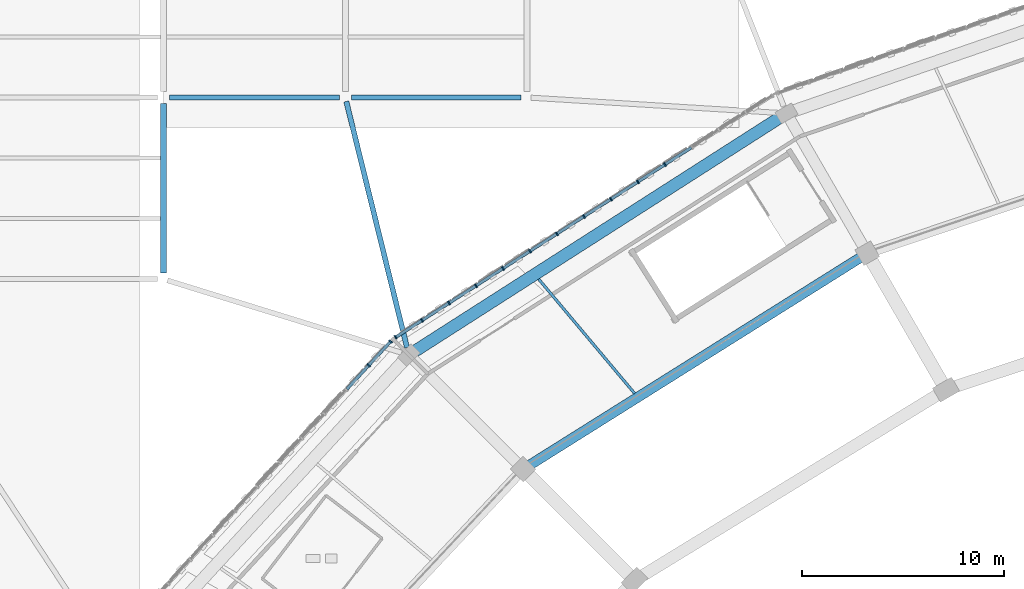
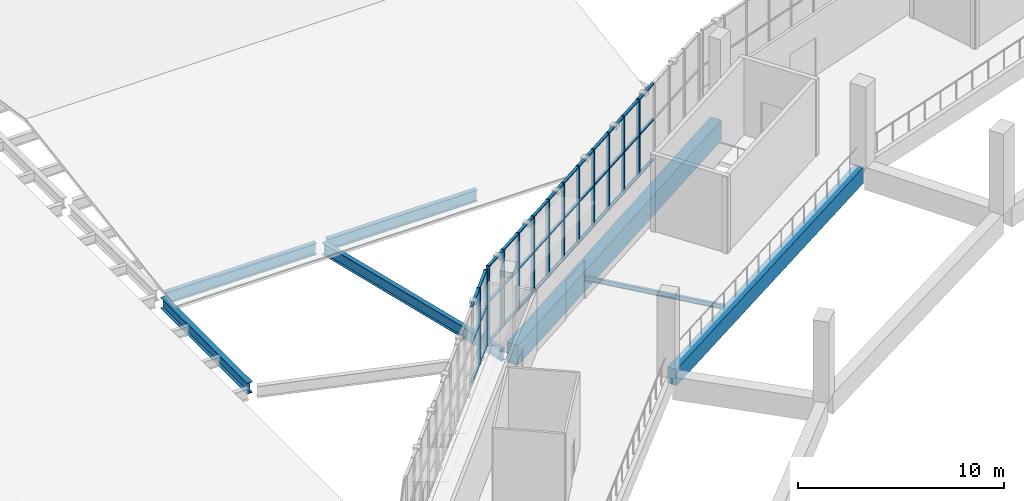
# One storey, part 34 of 108: 52 members, 7 beams, 2 elements without a shape of their own.
"""IFC4 building model written with IfcOpenShell, lengths in metres."""

import ifcopenshell
import ifcopenshell.guid

model = None  # the IFC model being written
_history = None  # IfcOwnerHistory: only IFC2X3 demands one
_inside = {}  # id of a spatial element -> (the spatial element, [elements in it])
_under = {}  # id of a project, library or spatial element -> (it, [spatial elements below it])
_declared = {}  # id of a project -> (the project, [libraries it declares])
_typed = {}  # id of a type object -> (the type object, [elements of that type])
_made_of = {}  # id of a material, layer set ... -> (it, [elements and type objects made of it])


def new_model(schema):
    """Start an empty IFC model of exactly this schema.

    Asked for "IFC4X3", IfcOpenShell would pick the latest addendum, in which some entities
    have other attributes; the version numbers below select the first issue.
    IFC2X3 requires an IfcOwnerHistory on every rooted entity: one is made here for all.
    """
    global model, _history
    if schema == "IFC4X3":
        model = ifcopenshell.file(schema_version=(4, 3, 0, 0))
    else:
        model = ifcopenshell.file(schema=schema)
    _inside.clear()
    _under.clear()
    _declared.clear()
    _typed.clear()
    _made_of.clear()
    _history = None
    if model.schema == "IFC2X3":
        org = make("IfcOrganization", Name="unknown")
        user = make(
            "IfcPersonAndOrganization",
            ThePerson=make("IfcPerson", FamilyName="unknown"),
            TheOrganization=org,
        )
        app = make(
            "IfcApplication",
            ApplicationDeveloper=org,
            Version="unknown",
            ApplicationFullName="unknown",
            ApplicationIdentifier="unknown",
        )
        _history = make(
            "IfcOwnerHistory",
            OwningUser=user,
            OwningApplication=app,
            ChangeAction="ADDED",
            CreationDate=0,
        )
    return model


def make(cls, **values):
    """One entity of the class cls with the attributes given. An attribute that is None is left unset."""
    return model.create_entity(
        cls, **{name: value for name, value in values.items() if value is not None}
    )


def rooted(cls, **values):
    """An entity with a GlobalId (a new one), such as an element, a storey or a relation."""
    return make(cls, GlobalId=ifcopenshell.guid.new(), OwnerHistory=_history, **values)


def si_unit(unit_type, name, prefix=None):
    """IfcSIUnit, for example si_unit("LENGTHUNIT", "METRE", prefix="MILLI")."""
    return make("IfcSIUnit", UnitType=unit_type, Prefix=prefix, Name=name)


def assignment(units):
    """IfcUnitAssignment: the units of a project."""
    return None if units is None else make("IfcUnitAssignment", Units=units)


def point(xyz):
    """IfcCartesianPoint."""
    return None if xyz is None else make("IfcCartesianPoint", Coordinates=xyz)


def direction(xyz):
    """IfcDirection."""
    return None if xyz is None else make("IfcDirection", DirectionRatios=xyz)


def frame(location, z_axis=None, x_axis=None):
    """IfcAxis2Placement3D, a coordinate frame: its origin and axes. An axis left out is left unset."""
    return make(
        "IfcAxis2Placement3D",
        Location=point(location),
        Axis=direction(z_axis),
        RefDirection=direction(x_axis),
    )


def frame_2d(location, x_axis=None):
    """IfcAxis2Placement2D, a coordinate frame in the plane: its origin and x axis."""
    return make(
        "IfcAxis2Placement2D", Location=point(location), RefDirection=direction(x_axis)
    )


def origin():
    """The frame at (0, 0, 0) with its axes left unset."""
    return frame((0.0, 0.0, 0.0))


def origin_2d():
    """The frame at (0, 0) in the plane with its x axis left unset."""
    return frame_2d((0.0, 0.0))


def place(relative_to, where):
    """IfcLocalPlacement: puts the frame where relative to a parent placement (None: the world)."""
    return make(
        "IfcLocalPlacement", PlacementRelTo=relative_to, RelativePlacement=where
    )


def context(
    kind, dimensions, precision=None, world=None, true_north=None, identifier=None
):
    """IfcGeometricRepresentationContext, for example the 3D "Model" context."""
    return make(
        "IfcGeometricRepresentationContext",
        ContextIdentifier=identifier,
        ContextType=kind,
        CoordinateSpaceDimension=dimensions,
        Precision=precision,
        WorldCoordinateSystem=world,
        TrueNorth=true_north,
    )


def subcontext(parent, identifier, kind, view, scale=None):
    """IfcGeometricRepresentationSubContext, for example "Body" below "Model"."""
    return make(
        "IfcGeometricRepresentationSubContext",
        ContextIdentifier=identifier,
        ContextType=kind,
        ParentContext=parent,
        TargetScale=scale,
        TargetView=view,
    )


def project(units=None, contexts=None):
    """IfcProject with its units and contexts."""
    return rooted(
        "IfcProject",
        Name="project",
        RepresentationContexts=contexts,
        UnitsInContext=assignment(units),
    )


def spatial(cls, under=None, at=None, **own):
    """A site, building, storey or space (cls), placed at a placement, below another one or the project."""
    s = rooted(cls, ObjectPlacement=at, **own)
    if under is not None:
        _under.setdefault(under.id(), (under, []))[1].append(s)
    return s


def profile(cls, at=None, kind="AREA", **sizes):
    """A parametric profile (cls). Its sizes go by their IFC names, for example OverallWidth=200.0."""
    return make(cls, ProfileType=kind, Position=at, **sizes)


def rectangle(**sizes):
    """IfcRectangleProfileDef."""
    return profile("IfcRectangleProfileDef", **sizes)


def i_section(**sizes):
    """IfcIShapeProfileDef."""
    return profile("IfcIShapeProfileDef", **sizes)


def extrude(swept, where, along, depth):
    """IfcExtrudedAreaSolid: the profile swept, set in the frame where, extruded along a direction by depth."""
    return make(
        "IfcExtrudedAreaSolid",
        SweptArea=swept,
        Position=where,
        ExtrudedDirection=direction(along),
        Depth=depth,
    )


def shape(context_of_items, identifier, shape_type, items):
    """IfcShapeRepresentation: the items that make up one representation, for example the "Body"."""
    return make(
        "IfcShapeRepresentation",
        ContextOfItems=context_of_items,
        RepresentationIdentifier=identifier,
        RepresentationType=shape_type,
        Items=items,
    )


def material(Name=None, Category=None):
    """IfcMaterial."""
    return make("IfcMaterial", Name=Name, Category=Category)


def material_profile(
    of_material, cross_section, Name=None, Category=None, Priority=None
):
    """IfcMaterialProfile: a cross section and its material."""
    return make(
        "IfcMaterialProfile",
        Name=Name,
        Material=of_material,
        Profile=cross_section,
        Priority=Priority,
        Category=Category,
    )


def profile_set(profiles, Name=None, composite=None):
    """IfcMaterialProfileSet."""
    return make(
        "IfcMaterialProfileSet",
        Name=Name,
        MaterialProfiles=profiles,
        CompositeProfile=composite,
    )


def made_of(thing, what):
    """Note that an element or type object is made of a material, layer set ...; save() writes the relation."""
    if what is not None:
        _made_of.setdefault(what.id(), (what, []))[1].append(thing)
    return thing


def type_object(cls, material=None, **own):
    """A type object (cls), such as IfcWallType, which elements share."""
    return made_of(rooted(cls, **own), material)


def element(
    cls,
    number,
    at=None,
    inside=None,
    cuts=None,
    type_object=None,
    material=None,
    context=None,
    identifier="Body",
    shape_type=None,
    held_by="IfcProductDefinitionShape",
    body=None,
    shapes=None,
    **own,
):
    """One element of the class cls, such as IfcWall. Its Tag is "e" and its number.

    at: its placement. inside: the storey or other place that contains it. cuts: it is an
    opening in that element (IfcRelVoidsElement). A single representation is given by context,
    identifier, shape_type and body (its items); several are given by shapes. held_by: the class
    of the entity that holds the representations. save() writes the other relations.
    """
    e = rooted(cls, Tag="e%d" % number, ObjectPlacement=at, **own)
    if body is not None:
        shapes = [shape(context, identifier, shape_type, body)]
    if shapes is not None:
        e.Representation = make(held_by, Representations=shapes)
    if inside is not None:
        _inside.setdefault(inside.id(), (inside, []))[1].append(e)
    if cuts is not None:
        rooted(
            "IfcRelVoidsElement", RelatingBuildingElement=cuts, RelatedOpeningElement=e
        )
    if type_object is not None:
        _typed.setdefault(type_object.id(), (type_object, []))[1].append(e)
    return made_of(e, material)


def aggregate(whole, parts):
    """IfcRelAggregates: a whole, such as a stair, and the parts it consists of."""
    return rooted("IfcRelAggregates", RelatingObject=whole, RelatedObjects=parts)


def save(model, path):
    """Write the relations noted so far, then the file.

    IfcRelAggregates (storeys below a building ...), IfcRelContainedInSpatialStructure (elements
    in a storey), IfcRelDefinesByType, IfcRelAssociatesMaterial and IfcRelDeclares: one each for
    every whole, place, type object, material and project.
    """
    for whole, parts in _under.values():
        aggregate(whole, parts)
    for where, things in _inside.values():
        rooted(
            "IfcRelContainedInSpatialStructure",
            RelatedElements=things,
            RelatingStructure=where,
        )
    for kind, things in _typed.values():
        rooted("IfcRelDefinesByType", RelatedObjects=things, RelatingType=kind)
    for what, things in _made_of.values():
        rooted("IfcRelAssociatesMaterial", RelatedObjects=things, RelatingMaterial=what)
    for by, libraries in _declared.values():
        rooted("IfcRelDeclares", RelatingContext=by, RelatedDefinitions=libraries)
    model.write(path)


model = new_model("IFC4")

# Units and contexts
model_context = context("Model", 3, precision=1e-05, world=origin(), true_north=direction((0.0, 1.0)))
body_context = subcontext(model_context, "Body", "Model", "MODEL_VIEW")
ifc_project = project(units=[si_unit("LENGTHUNIT", "METRE"), si_unit("AREAUNIT", "SQUARE_METRE"), si_unit("VOLUMEUNIT", "CUBIC_METRE"), si_unit("PLANEANGLEUNIT", "RADIAN"), si_unit("MASSUNIT", "GRAM", prefix="KILO")], contexts=[model_context])

# Site, building, storey
site_placement = place(None, origin())
site = spatial("IfcSite", under=ifc_project, at=site_placement, CompositionType="ELEMENT")
building_placement = place(site_placement, origin())
building = spatial("IfcBuilding", under=site, at=building_placement, Name="Zevraka Park Crest Stadium", CompositionType="ELEMENT")
storey_placement = place(building_placement, frame((0.0, 0.0, 19.800048828125)))
storey = spatial("IfcBuildingStorey", under=building, at=storey_placement, Name="L04", CompositionType="ELEMENT", Elevation=19.800048828125)

# Beams
ifc_material_1 = material(Name="Steel S355", Category="steel")
ifc_material_profile_1 = material_profile(ifc_material_1, i_section(OverallWidth=0.253662109375, OverallDepth=0.68359375, WebThickness=0.012451171875, FlangeThickness=0.01904296875, at=origin_2d()), Name="UKB 686x254x140")
ifc_profile_set_1 = profile_set([ifc_material_profile_1], Name="Steel S355")
beam_type_1 = type_object("IfcBeamType", Name="BG05", PredefinedType="BEAM", material=ifc_profile_set_1)
for number, where, z_axis, x_axis, name in (
    (1, (36.300048828125, 158.0, -0.60986328125), (1.0, 0.0, 0.0), (0.0, 1.0, 0.0), "Wing Girder BG05 L04-56/T"),
    (2, (45.300048828125, 158.0, -0.60986328125), (1.0, 0.0, 0.0), (0.0, 1.0, 0.0), "Wing Girder BG05 L04-67/T"),
):
    element("IfcBeam", number, at=place(storey_placement, frame(where, z_axis=z_axis, x_axis=x_axis)), inside=storey, type_object=beam_type_1, Name=name, PredefinedType="BEAM", context=body_context, shape_type="SweptSolid", body=[
        extrude(i_section(OverallWidth=0.253662109375, OverallDepth=0.68359375, WebThickness=0.012451171875, FlangeThickness=0.01904296875, at=origin_2d()), origin(), (0.0, 0.0, 1.0), 8.39990234375),
    ])
beam_1_placement = place(storey_placement, frame((45.048095703125, 157.805908203125, -0.60986328125), z_axis=(0.23959769566, -0.970872259483, 0.0), x_axis=(0.970872259483, 0.23959769566, 0.0)))
element("IfcBeam", 3, at=beam_1_placement, inside=storey, type_object=beam_type_1, Name="Wing Link Girder BG05 L04-6/T", PredefinedType="BEAM", context=body_context, shape_type="SweptSolid", body=[
    extrude(i_section(OverallWidth=0.253662109375, OverallDepth=0.68359375, WebThickness=0.012451171875, FlangeThickness=0.01904296875, at=origin_2d()), origin(), (0.0, 0.0, 1.0), 12.5576171875),
])
ifc_material_2 = material(Name="Steel S355", Category="steel")
ifc_material_profile_2 = material_profile(ifc_material_2, i_section(OverallWidth=0.300048828125, OverallDepth=0.64990234375, WebThickness=0.01611328125, FlangeThickness=0.031005859375, at=origin_2d()), Name="HEB 650")
ifc_profile_set_2 = profile_set([ifc_material_profile_2], Name="Steel S355")
beam_type_2 = type_object("IfcBeamType", Name="BG07", PredefinedType="BEAM", material=ifc_profile_set_2)
beam_2_placement = place(storey_placement, frame((36.0, 149.300048828125, -0.593017578125), z_axis=(0.0, 1.0, 0.0), x_axis=(-1.0, 0.0, 0.0)))
element("IfcBeam", 4, at=beam_2_placement, inside=storey, type_object=beam_type_2, Name="Wing Girder BG07 L04-5/ST", PredefinedType="BEAM", context=body_context, shape_type="SweptSolid", body=[
    extrude(i_section(OverallWidth=0.300048828125, OverallDepth=0.64990234375, WebThickness=0.01611328125, FlangeThickness=0.031005859375, at=origin_2d()), origin(), (0.0, 0.0, 1.0), 8.39990234375),
])

# Curtain wall, members
ifc_material_3 = material(Name="Anodised architectural aluminium and laminated safety glass", Category="aluminium")
curtain_wall_type = type_object("IfcCurtainWallType", Name="CW18", PredefinedType="NOTDEFINED", material=ifc_material_3)
curtain_wall_1_placement = place(storey_placement, origin())
curtain_wall_1 = element("IfcCurtainWall", 5, at=curtain_wall_1_placement, inside=storey, type_object=curtain_wall_type, Name="Unitised Ring Curtain Wall CW18 L04-08", PredefinedType="NOTDEFINED")
ifc_material_4 = material(Name="Anodised architectural aluminium", Category="aluminium")
ifc_material_profile_3 = material_profile(ifc_material_4, rectangle(XDim=0.199951171875, YDim=0.070068359375, at=origin_2d()), Name="ALU MULLION 200x70")
ifc_profile_set_3 = profile_set([ifc_material_profile_3], Name="Anodised architectural aluminium")
member_type_1 = type_object("IfcMemberType", Name="CM03", PredefinedType="MULLION", material=ifc_profile_set_3)
member_1_placement = place(storey_placement, frame((60.828125, 154.677734375, 0.0), z_axis=(0.0, 0.0, 1.0), x_axis=(0.539979944029, -0.841677883781, 0.0)))
member_1 = element("IfcMember", 6, at=member_1_placement, type_object=member_type_1, Name="CW18 mullion 5", PredefinedType="MULLION", context=body_context, shape_type="SweptSolid", body=[
    extrude(rectangle(XDim=0.199951171875, YDim=0.070068359375, at=origin_2d()), origin(), (0.0, 0.0, 1.0), 4.5400390625),
])
member_2_placement = place(storey_placement, frame((59.491455078125, 153.820068359375, 0.0), z_axis=(0.0, 0.0, 1.0), x_axis=(0.539979944029, -0.841677883781, 0.0)))
member_2 = element("IfcMember", 7, at=member_2_placement, type_object=member_type_1, Name="CW18 mullion 6", PredefinedType="MULLION", context=body_context, shape_type="SweptSolid", body=[
    extrude(rectangle(XDim=0.199951171875, YDim=0.070068359375, at=origin_2d()), origin(), (0.0, 0.0, 1.0), 4.5400390625),
])
member_3_placement = place(storey_placement, frame((58.15478515625, 152.962646484375, 0.0), z_axis=(0.0, 0.0, 1.0), x_axis=(0.539979944029, -0.841677883781, 0.0)))
member_3 = element("IfcMember", 8, at=member_3_placement, type_object=member_type_1, Name="CW18 mullion 7", PredefinedType="MULLION", context=body_context, shape_type="SweptSolid", body=[
    extrude(rectangle(XDim=0.199951171875, YDim=0.070068359375, at=origin_2d()), origin(), (0.0, 0.0, 1.0), 4.5400390625),
])
member_4_placement = place(storey_placement, frame((56.818115234375, 152.10498046875, 0.0), z_axis=(0.0, 0.0, 1.0), x_axis=(0.539979944029, -0.841677883781, 0.0)))
member_4 = element("IfcMember", 9, at=member_4_placement, type_object=member_type_1, Name="CW18 mullion 8", PredefinedType="MULLION", context=body_context, shape_type="SweptSolid", body=[
    extrude(rectangle(XDim=0.199951171875, YDim=0.070068359375, at=origin_2d()), origin(), (0.0, 0.0, 1.0), 4.5400390625),
])
member_5_placement = place(storey_placement, frame((55.481201171875, 151.247314453125, 0.0), z_axis=(0.0, 0.0, 1.0), x_axis=(0.539979944029, -0.841677883781, 0.0)))
member_5 = element("IfcMember", 10, at=member_5_placement, type_object=member_type_1, Name="CW18 mullion 9", PredefinedType="MULLION", context=body_context, shape_type="SweptSolid", body=[
    extrude(rectangle(XDim=0.199951171875, YDim=0.070068359375, at=origin_2d()), origin(), (0.0, 0.0, 1.0), 4.5400390625),
])
member_6_placement = place(storey_placement, frame((54.14453125, 150.389892578125, 0.0), z_axis=(0.0, 0.0, 1.0), x_axis=(0.539979944029, -0.841677883781, 0.0)))
member_6 = element("IfcMember", 11, at=member_6_placement, type_object=member_type_1, Name="CW18 mullion 10", PredefinedType="MULLION", context=body_context, shape_type="SweptSolid", body=[
    extrude(rectangle(XDim=0.199951171875, YDim=0.070068359375, at=origin_2d()), origin(), (0.0, 0.0, 1.0), 4.5400390625),
])
member_7_placement = place(storey_placement, frame((52.807861328125, 149.5322265625, 0.0), z_axis=(0.0, 0.0, 1.0), x_axis=(0.539979944029, -0.841677883781, 0.0)))
member_7 = element("IfcMember", 12, at=member_7_placement, type_object=member_type_1, Name="CW18 mullion 11", PredefinedType="MULLION", context=body_context, shape_type="SweptSolid", body=[
    extrude(rectangle(XDim=0.199951171875, YDim=0.070068359375, at=origin_2d()), origin(), (0.0, 0.0, 1.0), 4.5400390625),
])
member_8_placement = place(storey_placement, frame((51.47119140625, 148.6748046875, 0.0), z_axis=(0.0, 0.0, 1.0), x_axis=(0.539979944029, -0.841677883781, 0.0)))
member_8 = element("IfcMember", 13, at=member_8_placement, type_object=member_type_1, Name="CW18 mullion 12", PredefinedType="MULLION", context=body_context, shape_type="SweptSolid", body=[
    extrude(rectangle(XDim=0.199951171875, YDim=0.070068359375, at=origin_2d()), origin(), (0.0, 0.0, 1.0), 4.5400390625),
])
member_9_placement = place(storey_placement, frame((50.134521484375, 147.817138671875, 0.0), z_axis=(0.0, 0.0, 1.0), x_axis=(0.539979944029, -0.841677883781, 0.0)))
member_9 = element("IfcMember", 14, at=member_9_placement, type_object=member_type_1, Name="CW18 mullion 13", PredefinedType="MULLION", context=body_context, shape_type="SweptSolid", body=[
    extrude(rectangle(XDim=0.199951171875, YDim=0.070068359375, at=origin_2d()), origin(), (0.0, 0.0, 1.0), 4.5400390625),
])
member_10_placement = place(storey_placement, frame((48.797607421875, 146.95947265625, 0.0), z_axis=(0.0, 0.0, 1.0), x_axis=(0.539979944029, -0.841677883781, 0.0)))
member_10 = element("IfcMember", 15, at=member_10_placement, type_object=member_type_1, Name="CW18 mullion 14", PredefinedType="MULLION", context=body_context, shape_type="SweptSolid", body=[
    extrude(rectangle(XDim=0.199951171875, YDim=0.070068359375, at=origin_2d()), origin(), (0.0, 0.0, 1.0), 4.5400390625),
])
member_11_placement = place(storey_placement, frame((47.490478515625, 146.120849609375, 0.0), z_axis=(0.0, 0.0, 1.0), x_axis=(0.539979944029, -0.841677883781, 0.0)))
member_11 = element("IfcMember", 16, at=member_11_placement, type_object=member_type_1, Name="CW18 mullion 15", PredefinedType="MULLION", context=body_context, shape_type="SweptSolid", body=[
    extrude(rectangle(XDim=0.199951171875, YDim=0.070068359375, at=origin_2d()), origin(), (0.0, 0.0, 1.0), 4.5400390625),
])

curtain_wall_2_placement = place(storey_placement, origin())
curtain_wall_2 = element("IfcCurtainWall", 17, at=curtain_wall_2_placement, inside=storey, type_object=curtain_wall_type, Name="Unitised Ring Curtain Wall CW18 L04-09", PredefinedType="NOTDEFINED")
member_12_placement = place(storey_placement, frame((47.240234375, 145.9111328125, 0.0), z_axis=(0.0, 0.0, 1.0), x_axis=(0.736774619932, -0.676138417355, 0.0)))
member_12 = element("IfcMember", 18, at=member_12_placement, type_object=member_type_1, Name="CW18 mullion 1", PredefinedType="MULLION", context=body_context, shape_type="SweptSolid", body=[
    extrude(rectangle(XDim=0.199951171875, YDim=0.070068359375, at=origin_2d()), origin(), (0.0, 0.0, 1.0), 4.5400390625),
])
member_13_placement = place(storey_placement, frame((46.16015625, 144.734130859375, 0.0), z_axis=(0.0, 0.0, 1.0), x_axis=(0.736774619932, -0.676138417355, 0.0)))
member_13 = element("IfcMember", 19, at=member_13_placement, type_object=member_type_1, Name="CW18 mullion 2", PredefinedType="MULLION", context=body_context, shape_type="SweptSolid", body=[
    extrude(rectangle(XDim=0.199951171875, YDim=0.070068359375, at=origin_2d()), origin(), (0.0, 0.0, 1.0), 4.5400390625),
])

# Member
ifc_material_5 = material(Name="Anodised architectural aluminium", Category="aluminium")
ifc_material_profile_4 = material_profile(ifc_material_5, rectangle(XDim=0.14990234375, YDim=0.070068359375, at=origin_2d()), Name="ALU TRANSOM 150x70")
ifc_profile_set_4 = profile_set([ifc_material_profile_4], Name="Anodised architectural aluminium")
member_type_2 = type_object("IfcMemberType", Name="CT03", PredefinedType="USERDEFINED", material=ifc_profile_set_4)
member_14_placement = place(storey_placement, frame((62.135498046875, 155.516357421875, 0.034912109375), z_axis=(-0.841669260565, -0.539993384978, 0.0), x_axis=(0.539993384978, -0.841669260565, 0.0)))
member_14 = element("IfcMember", 20, at=member_14_placement, type_object=member_type_2, Name="CW18 transom 4.1", ObjectType="TRANSOM", PredefinedType="USERDEFINED", context=body_context, shape_type="SweptSolid", body=[
    extrude(rectangle(XDim=0.14990234375, YDim=0.070068359375, at=origin_2d()), origin(), (0.0, 0.0, 1.0), 1.518310546875),
])

member_15_placement = place(storey_placement, frame((62.135498046875, 155.516357421875, 2.39990234375), z_axis=(-0.841669260565, -0.539993384978, 0.0), x_axis=(0.539993384978, -0.841669260565, 0.0)))
member_15 = element("IfcMember", 21, at=member_15_placement, type_object=member_type_2, Name="CW18 transom 4.2", ObjectType="TRANSOM", PredefinedType="USERDEFINED", context=body_context, shape_type="SweptSolid", body=[
    extrude(rectangle(XDim=0.14990234375, YDim=0.070068359375, at=origin_2d()), origin(), (0.0, 0.0, 1.0), 1.518310546875),
])

member_16_placement = place(storey_placement, frame((62.135498046875, 155.516357421875, 4.5048828125), z_axis=(-0.841669260565, -0.539993384978, 0.0), x_axis=(0.539993384978, -0.841669260565, 0.0)))
member_16 = element("IfcMember", 22, at=member_16_placement, type_object=member_type_2, Name="CW18 transom 4.3", ObjectType="TRANSOM", PredefinedType="USERDEFINED", context=body_context, shape_type="SweptSolid", body=[
    extrude(rectangle(XDim=0.14990234375, YDim=0.070068359375, at=origin_2d()), origin(), (0.0, 0.0, 1.0), 1.518310546875),
])

member_17_placement = place(storey_placement, frame((60.798583984375, 154.658935546875, 0.034912109375), z_axis=(-0.841622360569, -0.540066479417, 0.0), x_axis=(0.540066479417, -0.841622360569, 0.0)))
member_17 = element("IfcMember", 23, at=member_17_placement, type_object=member_type_2, Name="CW18 transom 5.1", ObjectType="TRANSOM", PredefinedType="USERDEFINED", context=body_context, shape_type="SweptSolid", body=[
    extrude(rectangle(XDim=0.14990234375, YDim=0.070068359375, at=origin_2d()), origin(), (0.0, 0.0, 1.0), 1.51806640625),
])

member_18_placement = place(storey_placement, frame((60.798583984375, 154.658935546875, 2.39990234375), z_axis=(-0.841622360569, -0.540066479417, 0.0), x_axis=(0.540066479417, -0.841622360569, 0.0)))
member_18 = element("IfcMember", 24, at=member_18_placement, type_object=member_type_2, Name="CW18 transom 5.2", ObjectType="TRANSOM", PredefinedType="USERDEFINED", context=body_context, shape_type="SweptSolid", body=[
    extrude(rectangle(XDim=0.14990234375, YDim=0.070068359375, at=origin_2d()), origin(), (0.0, 0.0, 1.0), 1.51806640625),
])

member_19_placement = place(storey_placement, frame((60.798583984375, 154.658935546875, 4.5048828125), z_axis=(-0.841622360569, -0.540066479417, 0.0), x_axis=(0.540066479417, -0.841622360569, 0.0)))
member_19 = element("IfcMember", 25, at=member_19_placement, type_object=member_type_2, Name="CW18 transom 5.3", ObjectType="TRANSOM", PredefinedType="USERDEFINED", context=body_context, shape_type="SweptSolid", body=[
    extrude(rectangle(XDim=0.14990234375, YDim=0.070068359375, at=origin_2d()), origin(), (0.0, 0.0, 1.0), 1.51806640625),
])

member_20_placement = place(storey_placement, frame((59.4619140625, 153.80126953125, 0.034912109375), z_axis=(-0.841669260565, -0.539993384978, 0.0), x_axis=(0.539993384978, -0.841669260565, 0.0)))
member_20 = element("IfcMember", 26, at=member_20_placement, type_object=member_type_2, Name="CW18 transom 6.1", ObjectType="TRANSOM", PredefinedType="USERDEFINED", context=body_context, shape_type="SweptSolid", body=[
    extrude(rectangle(XDim=0.14990234375, YDim=0.070068359375, at=origin_2d()), origin(), (0.0, 0.0, 1.0), 1.518310546875),
])

member_21_placement = place(storey_placement, frame((59.4619140625, 153.80126953125, 2.39990234375), z_axis=(-0.841669260565, -0.539993384978, 0.0), x_axis=(0.539993384978, -0.841669260565, 0.0)))
member_21 = element("IfcMember", 27, at=member_21_placement, type_object=member_type_2, Name="CW18 transom 6.2", ObjectType="TRANSOM", PredefinedType="USERDEFINED", context=body_context, shape_type="SweptSolid", body=[
    extrude(rectangle(XDim=0.14990234375, YDim=0.070068359375, at=origin_2d()), origin(), (0.0, 0.0, 1.0), 1.518310546875),
])

member_22_placement = place(storey_placement, frame((59.4619140625, 153.80126953125, 4.5048828125), z_axis=(-0.841669260565, -0.539993384978, 0.0), x_axis=(0.539993384978, -0.841669260565, 0.0)))
member_22 = element("IfcMember", 28, at=member_22_placement, type_object=member_type_2, Name="CW18 transom 6.3", ObjectType="TRANSOM", PredefinedType="USERDEFINED", context=body_context, shape_type="SweptSolid", body=[
    extrude(rectangle(XDim=0.14990234375, YDim=0.070068359375, at=origin_2d()), origin(), (0.0, 0.0, 1.0), 1.518310546875),
])

member_23_placement = place(storey_placement, frame((58.125244140625, 152.943603515625, 0.034912109375), z_axis=(-0.841669260565, -0.539993384978, 0.0), x_axis=(0.539993384978, -0.841669260565, 0.0)))
member_23 = element("IfcMember", 29, at=member_23_placement, type_object=member_type_2, Name="CW18 transom 7.1", ObjectType="TRANSOM", PredefinedType="USERDEFINED", context=body_context, shape_type="SweptSolid", body=[
    extrude(rectangle(XDim=0.14990234375, YDim=0.070068359375, at=origin_2d()), origin(), (0.0, 0.0, 1.0), 1.518310546875),
])

member_24_placement = place(storey_placement, frame((58.125244140625, 152.943603515625, 2.39990234375), z_axis=(-0.841669260565, -0.539993384978, 0.0), x_axis=(0.539993384978, -0.841669260565, 0.0)))
member_24 = element("IfcMember", 30, at=member_24_placement, type_object=member_type_2, Name="CW18 transom 7.2", ObjectType="TRANSOM", PredefinedType="USERDEFINED", context=body_context, shape_type="SweptSolid", body=[
    extrude(rectangle(XDim=0.14990234375, YDim=0.070068359375, at=origin_2d()), origin(), (0.0, 0.0, 1.0), 1.518310546875),
])

member_25_placement = place(storey_placement, frame((58.125244140625, 152.943603515625, 4.5048828125), z_axis=(-0.841669260565, -0.539993384978, 0.0), x_axis=(0.539993384978, -0.841669260565, 0.0)))
member_25 = element("IfcMember", 31, at=member_25_placement, type_object=member_type_2, Name="CW18 transom 7.3", ObjectType="TRANSOM", PredefinedType="USERDEFINED", context=body_context, shape_type="SweptSolid", body=[
    extrude(rectangle(XDim=0.14990234375, YDim=0.070068359375, at=origin_2d()), origin(), (0.0, 0.0, 1.0), 1.518310546875),
])

member_26_placement = place(storey_placement, frame((56.78857421875, 152.086181640625, 0.034912109375), z_axis=(-0.841669260565, -0.539993384978, 0.0), x_axis=(0.539993384978, -0.841669260565, 0.0)))
member_26 = element("IfcMember", 32, at=member_26_placement, type_object=member_type_2, Name="CW18 transom 8.1", ObjectType="TRANSOM", PredefinedType="USERDEFINED", context=body_context, shape_type="SweptSolid", body=[
    extrude(rectangle(XDim=0.14990234375, YDim=0.070068359375, at=origin_2d()), origin(), (0.0, 0.0, 1.0), 1.518310546875),
])

member_27_placement = place(storey_placement, frame((56.78857421875, 152.086181640625, 2.39990234375), z_axis=(-0.841669260565, -0.539993384978, 0.0), x_axis=(0.539993384978, -0.841669260565, 0.0)))
member_27 = element("IfcMember", 33, at=member_27_placement, type_object=member_type_2, Name="CW18 transom 8.2", ObjectType="TRANSOM", PredefinedType="USERDEFINED", context=body_context, shape_type="SweptSolid", body=[
    extrude(rectangle(XDim=0.14990234375, YDim=0.070068359375, at=origin_2d()), origin(), (0.0, 0.0, 1.0), 1.518310546875),
])

member_28_placement = place(storey_placement, frame((56.78857421875, 152.086181640625, 4.5048828125), z_axis=(-0.841669260565, -0.539993384978, 0.0), x_axis=(0.539993384978, -0.841669260565, 0.0)))
member_28 = element("IfcMember", 34, at=member_28_placement, type_object=member_type_2, Name="CW18 transom 8.3", ObjectType="TRANSOM", PredefinedType="USERDEFINED", context=body_context, shape_type="SweptSolid", body=[
    extrude(rectangle(XDim=0.14990234375, YDim=0.070068359375, at=origin_2d()), origin(), (0.0, 0.0, 1.0), 1.518310546875),
])

member_29_placement = place(storey_placement, frame((55.451904296875, 151.228515625, 0.034912109375), z_axis=(-0.841669260565, -0.539993384978, 0.0), x_axis=(0.539993384978, -0.841669260565, 0.0)))
member_29 = element("IfcMember", 35, at=member_29_placement, type_object=member_type_2, Name="CW18 transom 9.1", ObjectType="TRANSOM", PredefinedType="USERDEFINED", context=body_context, shape_type="SweptSolid", body=[
    extrude(rectangle(XDim=0.14990234375, YDim=0.070068359375, at=origin_2d()), origin(), (0.0, 0.0, 1.0), 1.518310546875),
])

member_30_placement = place(storey_placement, frame((55.451904296875, 151.228515625, 2.39990234375), z_axis=(-0.841669260565, -0.539993384978, 0.0), x_axis=(0.539993384978, -0.841669260565, 0.0)))
member_30 = element("IfcMember", 36, at=member_30_placement, type_object=member_type_2, Name="CW18 transom 9.2", ObjectType="TRANSOM", PredefinedType="USERDEFINED", context=body_context, shape_type="SweptSolid", body=[
    extrude(rectangle(XDim=0.14990234375, YDim=0.070068359375, at=origin_2d()), origin(), (0.0, 0.0, 1.0), 1.518310546875),
])

member_31_placement = place(storey_placement, frame((55.451904296875, 151.228515625, 4.5048828125), z_axis=(-0.841669260565, -0.539993384978, 0.0), x_axis=(0.539993384978, -0.841669260565, 0.0)))
member_31 = element("IfcMember", 37, at=member_31_placement, type_object=member_type_2, Name="CW18 transom 9.3", ObjectType="TRANSOM", PredefinedType="USERDEFINED", context=body_context, shape_type="SweptSolid", body=[
    extrude(rectangle(XDim=0.14990234375, YDim=0.070068359375, at=origin_2d()), origin(), (0.0, 0.0, 1.0), 1.518310546875),
])

member_32_placement = place(storey_placement, frame((54.115234375, 150.370849609375, 0.034912109375), z_axis=(-0.841742345783, -0.539879452578, 0.0), x_axis=(0.539879452578, -0.841742345783, 0.0)))
member_32 = element("IfcMember", 38, at=member_32_placement, type_object=member_type_2, Name="CW18 transom 10.1", ObjectType="TRANSOM", PredefinedType="USERDEFINED", context=body_context, shape_type="SweptSolid", body=[
    extrude(rectangle(XDim=0.14990234375, YDim=0.070068359375, at=origin_2d()), origin(), (0.0, 0.0, 1.0), 1.51806640625),
])

member_33_placement = place(storey_placement, frame((54.115234375, 150.370849609375, 2.39990234375), z_axis=(-0.841742345783, -0.539879452578, 0.0), x_axis=(0.539879452578, -0.841742345783, 0.0)))
member_33 = element("IfcMember", 39, at=member_33_placement, type_object=member_type_2, Name="CW18 transom 10.2", ObjectType="TRANSOM", PredefinedType="USERDEFINED", context=body_context, shape_type="SweptSolid", body=[
    extrude(rectangle(XDim=0.14990234375, YDim=0.070068359375, at=origin_2d()), origin(), (0.0, 0.0, 1.0), 1.51806640625),
])

member_34_placement = place(storey_placement, frame((54.115234375, 150.370849609375, 4.5048828125), z_axis=(-0.841742345783, -0.539879452578, 0.0), x_axis=(0.539879452578, -0.841742345783, 0.0)))
member_34 = element("IfcMember", 40, at=member_34_placement, type_object=member_type_2, Name="CW18 transom 10.3", ObjectType="TRANSOM", PredefinedType="USERDEFINED", context=body_context, shape_type="SweptSolid", body=[
    extrude(rectangle(XDim=0.14990234375, YDim=0.070068359375, at=origin_2d()), origin(), (0.0, 0.0, 1.0), 1.51806640625),
])

member_35_placement = place(storey_placement, frame((52.7783203125, 149.513427734375, 0.034912109375), z_axis=(-0.841669260565, -0.539993384978, 0.0), x_axis=(0.539993384978, -0.841669260565, 0.0)))
member_35 = element("IfcMember", 41, at=member_35_placement, type_object=member_type_2, Name="CW18 transom 11.1", ObjectType="TRANSOM", PredefinedType="USERDEFINED", context=body_context, shape_type="SweptSolid", body=[
    extrude(rectangle(XDim=0.14990234375, YDim=0.070068359375, at=origin_2d()), origin(), (0.0, 0.0, 1.0), 1.518310546875),
])

member_36_placement = place(storey_placement, frame((52.7783203125, 149.513427734375, 2.39990234375), z_axis=(-0.841669260565, -0.539993384978, 0.0), x_axis=(0.539993384978, -0.841669260565, 0.0)))
member_36 = element("IfcMember", 42, at=member_36_placement, type_object=member_type_2, Name="CW18 transom 11.2", ObjectType="TRANSOM", PredefinedType="USERDEFINED", context=body_context, shape_type="SweptSolid", body=[
    extrude(rectangle(XDim=0.14990234375, YDim=0.070068359375, at=origin_2d()), origin(), (0.0, 0.0, 1.0), 1.518310546875),
])

member_37_placement = place(storey_placement, frame((52.7783203125, 149.513427734375, 4.5048828125), z_axis=(-0.841669260565, -0.539993384978, 0.0), x_axis=(0.539993384978, -0.841669260565, 0.0)))
member_37 = element("IfcMember", 43, at=member_37_placement, type_object=member_type_2, Name="CW18 transom 11.3", ObjectType="TRANSOM", PredefinedType="USERDEFINED", context=body_context, shape_type="SweptSolid", body=[
    extrude(rectangle(XDim=0.14990234375, YDim=0.070068359375, at=origin_2d()), origin(), (0.0, 0.0, 1.0), 1.518310546875),
])

member_38_placement = place(storey_placement, frame((51.441650390625, 148.65576171875, 0.034912109375), z_axis=(-0.841669260565, -0.539993384978, 0.0), x_axis=(0.539993384978, -0.841669260565, 0.0)))
member_38 = element("IfcMember", 44, at=member_38_placement, type_object=member_type_2, Name="CW18 transom 12.1", ObjectType="TRANSOM", PredefinedType="USERDEFINED", context=body_context, shape_type="SweptSolid", body=[
    extrude(rectangle(XDim=0.14990234375, YDim=0.070068359375, at=origin_2d()), origin(), (0.0, 0.0, 1.0), 1.518310546875),
])

member_39_placement = place(storey_placement, frame((51.441650390625, 148.65576171875, 2.39990234375), z_axis=(-0.841669260565, -0.539993384978, 0.0), x_axis=(0.539993384978, -0.841669260565, 0.0)))
member_39 = element("IfcMember", 45, at=member_39_placement, type_object=member_type_2, Name="CW18 transom 12.2", ObjectType="TRANSOM", PredefinedType="USERDEFINED", context=body_context, shape_type="SweptSolid", body=[
    extrude(rectangle(XDim=0.14990234375, YDim=0.070068359375, at=origin_2d()), origin(), (0.0, 0.0, 1.0), 1.518310546875),
])

member_40_placement = place(storey_placement, frame((51.441650390625, 148.65576171875, 4.5048828125), z_axis=(-0.841669260565, -0.539993384978, 0.0), x_axis=(0.539993384978, -0.841669260565, 0.0)))
member_40 = element("IfcMember", 46, at=member_40_placement, type_object=member_type_2, Name="CW18 transom 12.3", ObjectType="TRANSOM", PredefinedType="USERDEFINED", context=body_context, shape_type="SweptSolid", body=[
    extrude(rectangle(XDim=0.14990234375, YDim=0.070068359375, at=origin_2d()), origin(), (0.0, 0.0, 1.0), 1.518310546875),
])

member_41_placement = place(storey_placement, frame((50.10498046875, 147.79833984375, 0.034912109375), z_axis=(-0.841669260565, -0.539993384978, 0.0), x_axis=(0.539993384978, -0.841669260565, 0.0)))
member_41 = element("IfcMember", 47, at=member_41_placement, type_object=member_type_2, Name="CW18 transom 13.1", ObjectType="TRANSOM", PredefinedType="USERDEFINED", context=body_context, shape_type="SweptSolid", body=[
    extrude(rectangle(XDim=0.14990234375, YDim=0.070068359375, at=origin_2d()), origin(), (0.0, 0.0, 1.0), 1.518310546875),
])

member_42_placement = place(storey_placement, frame((50.10498046875, 147.79833984375, 2.39990234375), z_axis=(-0.841669260565, -0.539993384978, 0.0), x_axis=(0.539993384978, -0.841669260565, 0.0)))
member_42 = element("IfcMember", 48, at=member_42_placement, type_object=member_type_2, Name="CW18 transom 13.2", ObjectType="TRANSOM", PredefinedType="USERDEFINED", context=body_context, shape_type="SweptSolid", body=[
    extrude(rectangle(XDim=0.14990234375, YDim=0.070068359375, at=origin_2d()), origin(), (0.0, 0.0, 1.0), 1.518310546875),
])

member_43_placement = place(storey_placement, frame((50.10498046875, 147.79833984375, 4.5048828125), z_axis=(-0.841669260565, -0.539993384978, 0.0), x_axis=(0.539993384978, -0.841669260565, 0.0)))
member_43 = element("IfcMember", 49, at=member_43_placement, type_object=member_type_2, Name="CW18 transom 13.3", ObjectType="TRANSOM", PredefinedType="USERDEFINED", context=body_context, shape_type="SweptSolid", body=[
    extrude(rectangle(XDim=0.14990234375, YDim=0.070068359375, at=origin_2d()), origin(), (0.0, 0.0, 1.0), 1.518310546875),
])

member_44_placement = place(storey_placement, frame((48.768310546875, 146.940673828125, 0.034912109375), z_axis=(-0.84169690548, -0.539950293365, 0.0), x_axis=(0.539950293365, -0.84169690548, 0.0)))
member_44 = element("IfcMember", 50, at=member_44_placement, type_object=member_type_2, Name="CW18 transom 14.1", ObjectType="TRANSOM", PredefinedType="USERDEFINED", context=body_context, shape_type="SweptSolid", body=[
    extrude(rectangle(XDim=0.14990234375, YDim=0.070068359375, at=origin_2d()), origin(), (0.0, 0.0, 1.0), 1.483154296875),
])

member_45_placement = place(storey_placement, frame((48.768310546875, 146.940673828125, 2.39990234375), z_axis=(-0.84169690548, -0.539950293365, 0.0), x_axis=(0.539950293365, -0.84169690548, 0.0)))
member_45 = element("IfcMember", 51, at=member_45_placement, type_object=member_type_2, Name="CW18 transom 14.2", ObjectType="TRANSOM", PredefinedType="USERDEFINED", context=body_context, shape_type="SweptSolid", body=[
    extrude(rectangle(XDim=0.14990234375, YDim=0.070068359375, at=origin_2d()), origin(), (0.0, 0.0, 1.0), 1.483154296875),
])

member_46_placement = place(storey_placement, frame((48.768310546875, 146.940673828125, 4.5048828125), z_axis=(-0.84169690548, -0.539950293365, 0.0), x_axis=(0.539950293365, -0.84169690548, 0.0)))
member_46 = element("IfcMember", 52, at=member_46_placement, type_object=member_type_2, Name="CW18 transom 14.3", ObjectType="TRANSOM", PredefinedType="USERDEFINED", context=body_context, shape_type="SweptSolid", body=[
    extrude(rectangle(XDim=0.14990234375, YDim=0.070068359375, at=origin_2d()), origin(), (0.0, 0.0, 1.0), 1.483154296875),
])

aggregate(curtain_wall_1, [member_1, member_2, member_3, member_4, member_5, member_6, member_7, member_8, member_9, member_10, member_11, member_14, member_15, member_16, member_17, member_18, member_19, member_20, member_21, member_22, member_23, member_24, member_25, member_26, member_27, member_28, member_29, member_30, member_31, member_32, member_33, member_34, member_35, member_36, member_37, member_38, member_39, member_40, member_41, member_42, member_43, member_44, member_45, member_46])

member_47_placement = place(storey_placement, frame((47.216552734375, 145.885498046875, 0.034912109375), z_axis=(-0.67600681387, -0.736895370864, 0.0), x_axis=(0.736895370864, -0.67600681387, 0.0)))
member_47 = element("IfcMember", 53, at=member_47_placement, type_object=member_type_2, Name="CW18 transom 1.1", ObjectType="TRANSOM", PredefinedType="USERDEFINED", context=body_context, shape_type="SweptSolid", body=[
    extrude(rectangle(XDim=0.14990234375, YDim=0.070068359375, at=origin_2d()), origin(), (0.0, 0.0, 1.0), 1.527587890625),
])

member_48_placement = place(storey_placement, frame((47.216552734375, 145.885498046875, 2.39990234375), z_axis=(-0.67600681387, -0.736895370864, 0.0), x_axis=(0.736895370864, -0.67600681387, 0.0)))
member_48 = element("IfcMember", 54, at=member_48_placement, type_object=member_type_2, Name="CW18 transom 1.2", ObjectType="TRANSOM", PredefinedType="USERDEFINED", context=body_context, shape_type="SweptSolid", body=[
    extrude(rectangle(XDim=0.14990234375, YDim=0.070068359375, at=origin_2d()), origin(), (0.0, 0.0, 1.0), 1.527587890625),
])

member_49_placement = place(storey_placement, frame((47.216552734375, 145.885498046875, 4.5048828125), z_axis=(-0.67600681387, -0.736895370864, 0.0), x_axis=(0.736895370864, -0.67600681387, 0.0)))
member_49 = element("IfcMember", 55, at=member_49_placement, type_object=member_type_2, Name="CW18 transom 1.3", ObjectType="TRANSOM", PredefinedType="USERDEFINED", context=body_context, shape_type="SweptSolid", body=[
    extrude(rectangle(XDim=0.14990234375, YDim=0.070068359375, at=origin_2d()), origin(), (0.0, 0.0, 1.0), 1.527587890625),
])

member_50_placement = place(storey_placement, frame((46.136474609375, 144.708251953125, 0.034912109375), z_axis=(-0.67614898138, -0.736764925182, 0.0), x_axis=(0.736764925182, -0.67614898138, 0.0)))
member_50 = element("IfcMember", 56, at=member_50_placement, type_object=member_type_2, Name="CW18 transom 2.1", ObjectType="TRANSOM", PredefinedType="USERDEFINED", context=body_context, shape_type="SweptSolid", body=[
    extrude(rectangle(XDim=0.14990234375, YDim=0.070068359375, at=origin_2d()), origin(), (0.0, 0.0, 1.0), 1.562744140625),
])

member_51_placement = place(storey_placement, frame((46.136474609375, 144.708251953125, 2.39990234375), z_axis=(-0.67614898138, -0.736764925182, 0.0), x_axis=(0.736764925182, -0.67614898138, 0.0)))
member_51 = element("IfcMember", 57, at=member_51_placement, type_object=member_type_2, Name="CW18 transom 2.2", ObjectType="TRANSOM", PredefinedType="USERDEFINED", context=body_context, shape_type="SweptSolid", body=[
    extrude(rectangle(XDim=0.14990234375, YDim=0.070068359375, at=origin_2d()), origin(), (0.0, 0.0, 1.0), 1.562744140625),
])

member_52_placement = place(storey_placement, frame((46.136474609375, 144.708251953125, 4.5048828125), z_axis=(-0.67614898138, -0.736764925182, 0.0), x_axis=(0.736764925182, -0.67614898138, 0.0)))
member_52 = element("IfcMember", 58, at=member_52_placement, type_object=member_type_2, Name="CW18 transom 2.3", ObjectType="TRANSOM", PredefinedType="USERDEFINED", context=body_context, shape_type="SweptSolid", body=[
    extrude(rectangle(XDim=0.14990234375, YDim=0.070068359375, at=origin_2d()), origin(), (0.0, 0.0, 1.0), 1.562744140625),
])

aggregate(curtain_wall_2, [member_12, member_13, member_47, member_48, member_49, member_50, member_51, member_52])

# Beams
ifc_material_6 = material(Name="Concrete C40/50", Category="concrete")
ifc_material_profile_5 = material_profile(ifc_material_6, rectangle(XDim=0.60009765625, YDim=1.199951171875, at=origin_2d()), Name="RC 1200x600")
ifc_profile_set_5 = profile_set([ifc_material_profile_5], Name="Concrete C40/50")
beam_type_3 = type_object("IfcBeamType", Name="RB01", PredefinedType="BEAM", material=ifc_profile_set_5)
beam_3_placement = place(storey_placement, frame((66.530029296875, 157.007080078125, -0.610107421875), z_axis=(-0.842325571453, -0.538969045193, 0.0), x_axis=(0.538969045193, -0.842325571453, 0.0)))
element("IfcBeam", 59, at=beam_3_placement, inside=storey, type_object=beam_type_3, Name="Ring Beam RB01 L04-D-08", PredefinedType="BEAM", context=body_context, shape_type="SweptSolid", body=[
    extrude(rectangle(XDim=0.60009765625, YDim=1.199951171875, at=origin_2d()), origin(), (0.0, 0.0, 1.0), 21.443115234375),
])
ifc_material_7 = material(Name="Concrete C40/50", Category="concrete")
ifc_material_profile_6 = material_profile(ifc_material_7, rectangle(XDim=0.5, YDim=0.949951171875, at=origin_2d()), Name="RC 950x500")
ifc_profile_set_6 = profile_set([ifc_material_profile_6], Name="Concrete C40/50")
beam_type_4 = type_object("IfcBeamType", Name="RB02", PredefinedType="BEAM", material=ifc_profile_set_6)
beam_4_placement = place(storey_placement, frame((70.528076171875, 150.08203125, -0.485107421875), z_axis=(-0.847038516183, -0.531531515625, 0.0), x_axis=(0.531531515625, -0.847038516183, 0.0)))
element("IfcBeam", 60, at=beam_4_placement, inside=storey, type_object=beam_type_4, Name="Ring Beam RB02 L04-C-08", PredefinedType="BEAM", context=body_context, shape_type="SweptSolid", body=[
    extrude(rectangle(XDim=0.5, YDim=0.949951171875, at=origin_2d()), origin(), (0.0, 0.0, 1.0), 19.36279296875),
])
ifc_material_8 = material(Name="Steel S355", Category="steel")
ifc_material_profile_7 = material_profile(ifc_material_8, i_section(OverallWidth=0.135009765625, OverallDepth=0.27001953125, WebThickness=0.006591796875, FlangeThickness=0.01025390625, at=origin_2d()), Name="IPE 270")
ifc_profile_set_7 = profile_set([ifc_material_profile_7], Name="Steel S355")
beam_type_5 = type_object("IfcBeamType", Name="SJ07", PredefinedType="JOIST", material=ifc_profile_set_7)
beam_5_placement = place(storey_placement, frame((59.3291015625, 143.341064453125, -0.403076171875), z_axis=(-0.642939005042, 0.765917381834, 0.0), x_axis=(-0.765917381834, -0.642939005042, 0.0)))
element("IfcBeam", 61, at=beam_5_placement, inside=storey, type_object=beam_type_5, Name="Floor Joist SJ07 L04-CD-08-2", PredefinedType="JOIST", context=body_context, shape_type="SweptSolid", body=[
    extrude(i_section(OverallWidth=0.135009765625, OverallDepth=0.27001953125, WebThickness=0.006591796875, FlangeThickness=0.01025390625, at=origin_2d()), origin(), (0.0, 0.0, 1.0), 7.39892578125),
])

save(model, "model.ifc")
